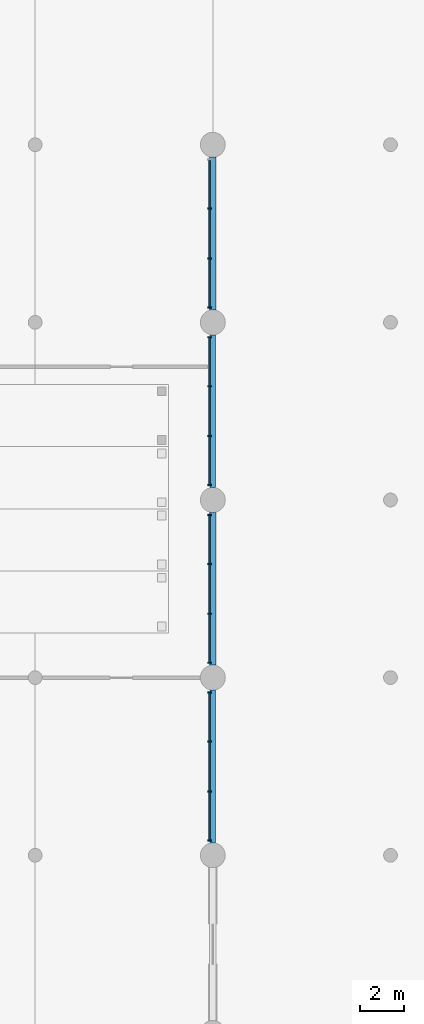
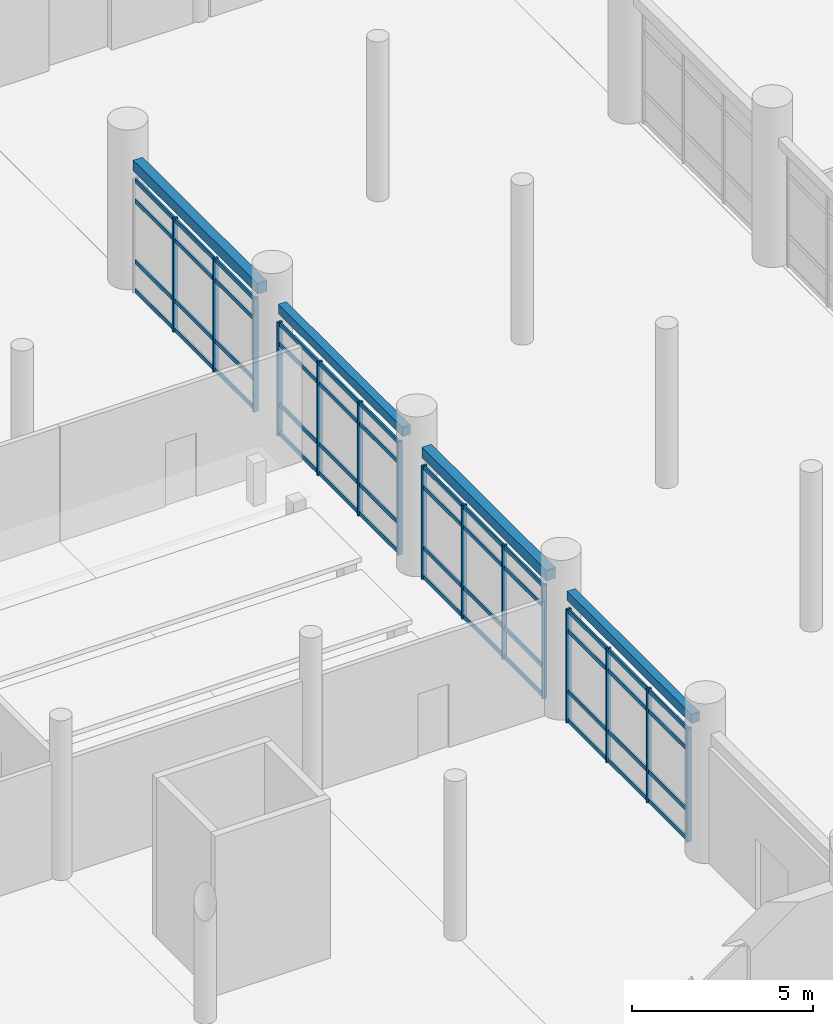
# One storey, part 5 of 42: 63 members, 4 beams, 4 elements without a shape of their own.
"""IFC4 building model written with IfcOpenShell, lengths in metres."""

from ifc_helpers import new_model, si_unit, direction, frame, origin, origin_2d, place, context, subcontext, project, spatial, rectangle, extrude, material, material_profile, profile_set, type_object, element, aggregate, save


model = new_model("IFC4")

# Units and contexts
model_context = context("Model", 3, precision=1e-05, world=origin(), true_north=direction((0.0, 1.0)))
body_context = subcontext(model_context, "Body", "Model", "MODEL_VIEW")
ifc_project = project(units=[si_unit("LENGTHUNIT", "METRE"), si_unit("AREAUNIT", "SQUARE_METRE"), si_unit("VOLUMEUNIT", "CUBIC_METRE"), si_unit("PLANEANGLEUNIT", "RADIAN"), si_unit("MASSUNIT", "GRAM", prefix="KILO")], contexts=[model_context])

# Site, building, storey
site_placement = place(None, origin())
site = spatial("IfcSite", under=ifc_project, at=site_placement, CompositionType="ELEMENT")
building_placement = place(site_placement, origin())
building = spatial("IfcBuilding", under=site, at=building_placement, Name="Pecanmere Concourse Central Library", CompositionType="ELEMENT")
storey_placement = place(building_placement, origin())
storey = spatial("IfcBuildingStorey", under=building, at=storey_placement, Name="L01", CompositionType="ELEMENT", Elevation=0.0)

# Curtain wall, members
ifc_material_1 = material(Name="Clear anodized aluminium alloy 6063-T6", Category="aluminium")
curtain_wall_type = type_object("IfcCurtainWallType", Name="CW_CLOISTER_GLAZ", PredefinedType="USERDEFINED", material=ifc_material_1)
curtain_wall_1_placement = place(storey_placement, origin())
curtain_wall_1 = element("IfcCurtainWall", 1, at=curtain_wall_1_placement, inside=storey, type_object=curtain_wall_type, Name="Unitised Curtain Wall CW-04 L01-163", ObjectType="UNITISED CURTAIN WALL", PredefinedType="USERDEFINED")
ifc_material_2 = material(Name="Clear anodized aluminium alloy 6063-T6", Category="aluminium")
ifc_material_profile_1 = material_profile(ifc_material_2, rectangle(XDim=0.06005859375, YDim=0.14990234375, at=origin_2d()), Name="AL 60x150")
ifc_profile_set_1 = profile_set([ifc_material_profile_1], Name="Clear anodized aluminium alloy 6063-T6")
member_type_1 = type_object("IfcMemberType", Name="CWM_150x60", PredefinedType="MULLION", material=ifc_profile_set_1)
member_1_placement = place(storey_placement, frame((79.85009765625, 32.669921875, 0.0), z_axis=(0.0, 0.0, 1.0), x_axis=(0.0, 1.0, 0.0)))
member_1 = element("IfcMember", 2, at=member_1_placement, type_object=member_type_1, Name="CW-04 Mullion 1", PredefinedType="MULLION", context=body_context, shape_type="SweptSolid", body=[
    extrude(rectangle(XDim=0.06005859375, YDim=0.14990234375, at=origin_2d()), origin(), (0.0, 0.0, 1.0), 3.85009765625),
])
member_2_placement = place(storey_placement, frame((79.85009765625, 34.8798828125, 0.0), z_axis=(0.0, 0.0, 1.0), x_axis=(0.0, 1.0, 0.0)))
member_2 = element("IfcMember", 3, at=member_2_placement, type_object=member_type_1, Name="CW-04 Mullion 2", PredefinedType="MULLION", context=body_context, shape_type="SweptSolid", body=[
    extrude(rectangle(XDim=0.06005859375, YDim=0.14990234375, at=origin_2d()), origin(), (0.0, 0.0, 1.0), 3.85009765625),
])
member_3_placement = place(storey_placement, frame((79.85009765625, 37.1201171875, 0.0), z_axis=(0.0, 0.0, 1.0), x_axis=(0.0, 1.0, 0.0)))
member_3 = element("IfcMember", 4, at=member_3_placement, type_object=member_type_1, Name="CW-04 Mullion 3", PredefinedType="MULLION", context=body_context, shape_type="SweptSolid", body=[
    extrude(rectangle(XDim=0.06005859375, YDim=0.14990234375, at=origin_2d()), origin(), (0.0, 0.0, 1.0), 3.85009765625),
])
member_4_placement = place(storey_placement, frame((79.85009765625, 39.330078125, 0.0), z_axis=(0.0, 0.0, 1.0), x_axis=(0.0, 1.0, 0.0)))
member_4 = element("IfcMember", 5, at=member_4_placement, type_object=member_type_1, Name="CW-04 Mullion 4", PredefinedType="MULLION", context=body_context, shape_type="SweptSolid", body=[
    extrude(rectangle(XDim=0.06005859375, YDim=0.14990234375, at=origin_2d()), origin(), (0.0, 0.0, 1.0), 3.85009765625),
])

curtain_wall_2_placement = place(storey_placement, origin())
curtain_wall_2 = element("IfcCurtainWall", 6, at=curtain_wall_2_placement, inside=storey, type_object=curtain_wall_type, Name="Unitised Curtain Wall CW-04 L01-165", ObjectType="UNITISED CURTAIN WALL", PredefinedType="USERDEFINED")
member_5_placement = place(storey_placement, frame((79.85009765625, 40.669921875, 0.0), z_axis=(0.0, 0.0, 1.0), x_axis=(0.0, 1.0, 0.0)))
member_5 = element("IfcMember", 7, at=member_5_placement, type_object=member_type_1, Name="CW-04 Mullion 1", PredefinedType="MULLION", context=body_context, shape_type="SweptSolid", body=[
    extrude(rectangle(XDim=0.06005859375, YDim=0.14990234375, at=origin_2d()), origin(), (0.0, 0.0, 1.0), 3.85009765625),
])
member_6_placement = place(storey_placement, frame((79.85009765625, 42.8798828125, 0.0), z_axis=(0.0, 0.0, 1.0), x_axis=(0.0, 1.0, 0.0)))
member_6 = element("IfcMember", 8, at=member_6_placement, type_object=member_type_1, Name="CW-04 Mullion 2", PredefinedType="MULLION", context=body_context, shape_type="SweptSolid", body=[
    extrude(rectangle(XDim=0.06005859375, YDim=0.14990234375, at=origin_2d()), origin(), (0.0, 0.0, 1.0), 3.85009765625),
])
member_7_placement = place(storey_placement, frame((79.85009765625, 45.1201171875, 0.0), z_axis=(0.0, 0.0, 1.0), x_axis=(0.0, 1.0, 0.0)))
member_7 = element("IfcMember", 9, at=member_7_placement, type_object=member_type_1, Name="CW-04 Mullion 3", PredefinedType="MULLION", context=body_context, shape_type="SweptSolid", body=[
    extrude(rectangle(XDim=0.06005859375, YDim=0.14990234375, at=origin_2d()), origin(), (0.0, 0.0, 1.0), 3.85009765625),
])
member_8_placement = place(storey_placement, frame((79.85009765625, 47.330078125, 0.0), z_axis=(0.0, 0.0, 1.0), x_axis=(0.0, 1.0, 0.0)))
member_8 = element("IfcMember", 10, at=member_8_placement, type_object=member_type_1, Name="CW-04 Mullion 4", PredefinedType="MULLION", context=body_context, shape_type="SweptSolid", body=[
    extrude(rectangle(XDim=0.06005859375, YDim=0.14990234375, at=origin_2d()), origin(), (0.0, 0.0, 1.0), 3.85009765625),
])

curtain_wall_3_placement = place(storey_placement, origin())
curtain_wall_3 = element("IfcCurtainWall", 11, at=curtain_wall_3_placement, inside=storey, type_object=curtain_wall_type, Name="Unitised Curtain Wall CW-04 L01-167", ObjectType="UNITISED CURTAIN WALL", PredefinedType="USERDEFINED")
member_9_placement = place(storey_placement, frame((79.85009765625, 48.669921875, 0.0), z_axis=(0.0, 0.0, 1.0), x_axis=(0.0, 1.0, 0.0)))
member_9 = element("IfcMember", 12, at=member_9_placement, type_object=member_type_1, Name="CW-04 Mullion 1", PredefinedType="MULLION", context=body_context, shape_type="SweptSolid", body=[
    extrude(rectangle(XDim=0.06005859375, YDim=0.14990234375, at=origin_2d()), origin(), (0.0, 0.0, 1.0), 3.85009765625),
])
member_10_placement = place(storey_placement, frame((79.85009765625, 50.8798828125, 0.0), z_axis=(0.0, 0.0, 1.0), x_axis=(0.0, 1.0, 0.0)))
member_10 = element("IfcMember", 13, at=member_10_placement, type_object=member_type_1, Name="CW-04 Mullion 2", PredefinedType="MULLION", context=body_context, shape_type="SweptSolid", body=[
    extrude(rectangle(XDim=0.06005859375, YDim=0.14990234375, at=origin_2d()), origin(), (0.0, 0.0, 1.0), 3.85009765625),
])
member_11_placement = place(storey_placement, frame((79.85009765625, 53.1201171875, 0.0), z_axis=(0.0, 0.0, 1.0), x_axis=(0.0, 1.0, 0.0)))
member_11 = element("IfcMember", 14, at=member_11_placement, type_object=member_type_1, Name="CW-04 Mullion 3", PredefinedType="MULLION", context=body_context, shape_type="SweptSolid", body=[
    extrude(rectangle(XDim=0.06005859375, YDim=0.14990234375, at=origin_2d()), origin(), (0.0, 0.0, 1.0), 3.85009765625),
])
member_12_placement = place(storey_placement, frame((79.85009765625, 55.330078125, 0.0), z_axis=(0.0, 0.0, 1.0), x_axis=(0.0, 1.0, 0.0)))
member_12 = element("IfcMember", 15, at=member_12_placement, type_object=member_type_1, Name="CW-04 Mullion 4", PredefinedType="MULLION", context=body_context, shape_type="SweptSolid", body=[
    extrude(rectangle(XDim=0.06005859375, YDim=0.14990234375, at=origin_2d()), origin(), (0.0, 0.0, 1.0), 3.85009765625),
])

curtain_wall_4_placement = place(storey_placement, origin())
curtain_wall_4 = element("IfcCurtainWall", 16, at=curtain_wall_4_placement, inside=storey, type_object=curtain_wall_type, Name="Unitised Curtain Wall CW-04 L01-169", ObjectType="UNITISED CURTAIN WALL", PredefinedType="USERDEFINED")
member_13_placement = place(storey_placement, frame((79.85009765625, 56.669921875, 0.0), z_axis=(0.0, 0.0, 1.0), x_axis=(0.0, 1.0, 0.0)))
member_13 = element("IfcMember", 17, at=member_13_placement, type_object=member_type_1, Name="CW-04 Mullion 1", PredefinedType="MULLION", context=body_context, shape_type="SweptSolid", body=[
    extrude(rectangle(XDim=0.06005859375, YDim=0.14990234375, at=origin_2d()), origin(), (0.0, 0.0, 1.0), 3.85009765625),
])
member_14_placement = place(storey_placement, frame((79.85009765625, 58.8798828125, 0.0), z_axis=(0.0, 0.0, 1.0), x_axis=(0.0, 1.0, 0.0)))
member_14 = element("IfcMember", 18, at=member_14_placement, type_object=member_type_1, Name="CW-04 Mullion 2", PredefinedType="MULLION", context=body_context, shape_type="SweptSolid", body=[
    extrude(rectangle(XDim=0.06005859375, YDim=0.14990234375, at=origin_2d()), origin(), (0.0, 0.0, 1.0), 3.85009765625),
])
member_15_placement = place(storey_placement, frame((79.85009765625, 61.1201171875, 0.0), z_axis=(0.0, 0.0, 1.0), x_axis=(0.0, 1.0, 0.0)))
member_15 = element("IfcMember", 19, at=member_15_placement, type_object=member_type_1, Name="CW-04 Mullion 3", PredefinedType="MULLION", context=body_context, shape_type="SweptSolid", body=[
    extrude(rectangle(XDim=0.06005859375, YDim=0.14990234375, at=origin_2d()), origin(), (0.0, 0.0, 1.0), 3.85009765625),
])

# Member
ifc_material_3 = material(Name="Clear anodized aluminium alloy 6063-T6", Category="aluminium")
ifc_material_profile_2 = material_profile(ifc_material_3, rectangle(XDim=0.054931640625, YDim=0.139892578125, at=origin_2d()), Name="AL 55x140")
ifc_profile_set_2 = profile_set([ifc_material_profile_2], Name="Clear anodized aluminium alloy 6063-T6")
member_type_2 = type_object("IfcMemberType", Name="CWT_140x55", PredefinedType="USERDEFINED", material=ifc_profile_set_2)
member_16_placement = place(storey_placement, frame((79.85009765625, 32.699951171875, 0.070068359375), z_axis=(0.0, 1.0, 0.0), x_axis=(-1.0, 0.0, 0.0)))
member_16 = element("IfcMember", 20, at=member_16_placement, type_object=member_type_2, Name="CW-04 Transom 1.1", ObjectType="TRANSOM", PredefinedType="USERDEFINED", context=body_context, shape_type="SweptSolid", body=[
    extrude(rectangle(XDim=0.054931640625, YDim=0.139892578125, at=origin_2d()), origin(), (0.0, 0.0, 1.0), 2.150146484375),
])

member_17_placement = place(storey_placement, frame((79.85009765625, 32.699951171875, 1.050048828125), z_axis=(0.0, 1.0, 0.0), x_axis=(-1.0, 0.0, 0.0)))
member_17 = element("IfcMember", 21, at=member_17_placement, type_object=member_type_2, Name="CW-04 Transom 1.2", ObjectType="TRANSOM", PredefinedType="USERDEFINED", context=body_context, shape_type="SweptSolid", body=[
    extrude(rectangle(XDim=0.054931640625, YDim=0.139892578125, at=origin_2d()), origin(), (0.0, 0.0, 1.0), 2.150146484375),
])

member_18_placement = place(storey_placement, frame((79.85009765625, 32.699951171875, 3.10009765625), z_axis=(0.0, 1.0, 0.0), x_axis=(-1.0, 0.0, 0.0)))
member_18 = element("IfcMember", 22, at=member_18_placement, type_object=member_type_2, Name="CW-04 Transom 1.3", ObjectType="TRANSOM", PredefinedType="USERDEFINED", context=body_context, shape_type="SweptSolid", body=[
    extrude(rectangle(XDim=0.054931640625, YDim=0.139892578125, at=origin_2d()), origin(), (0.0, 0.0, 1.0), 2.150146484375),
])

member_19_placement = place(storey_placement, frame((79.85009765625, 32.699951171875, 3.780029296875), z_axis=(0.0, 1.0, 0.0), x_axis=(-1.0, 0.0, 0.0)))
member_19 = element("IfcMember", 23, at=member_19_placement, type_object=member_type_2, Name="CW-04 Transom 1.4", ObjectType="TRANSOM", PredefinedType="USERDEFINED", context=body_context, shape_type="SweptSolid", body=[
    extrude(rectangle(XDim=0.054931640625, YDim=0.139892578125, at=origin_2d()), origin(), (0.0, 0.0, 1.0), 2.150146484375),
])

member_20_placement = place(storey_placement, frame((79.85009765625, 34.909912109375, 0.070068359375), z_axis=(0.0, 1.0, 0.0), x_axis=(-1.0, 0.0, 0.0)))
member_20 = element("IfcMember", 24, at=member_20_placement, type_object=member_type_2, Name="CW-04 Transom 2.1", ObjectType="TRANSOM", PredefinedType="USERDEFINED", context=body_context, shape_type="SweptSolid", body=[
    extrude(rectangle(XDim=0.054931640625, YDim=0.139892578125, at=origin_2d()), origin(), (0.0, 0.0, 1.0), 2.18017578125),
])

member_21_placement = place(storey_placement, frame((79.85009765625, 34.909912109375, 1.050048828125), z_axis=(0.0, 1.0, 0.0), x_axis=(-1.0, 0.0, 0.0)))
member_21 = element("IfcMember", 25, at=member_21_placement, type_object=member_type_2, Name="CW-04 Transom 2.2", ObjectType="TRANSOM", PredefinedType="USERDEFINED", context=body_context, shape_type="SweptSolid", body=[
    extrude(rectangle(XDim=0.054931640625, YDim=0.139892578125, at=origin_2d()), origin(), (0.0, 0.0, 1.0), 2.18017578125),
])

member_22_placement = place(storey_placement, frame((79.85009765625, 34.909912109375, 3.10009765625), z_axis=(0.0, 1.0, 0.0), x_axis=(-1.0, 0.0, 0.0)))
member_22 = element("IfcMember", 26, at=member_22_placement, type_object=member_type_2, Name="CW-04 Transom 2.3", ObjectType="TRANSOM", PredefinedType="USERDEFINED", context=body_context, shape_type="SweptSolid", body=[
    extrude(rectangle(XDim=0.054931640625, YDim=0.139892578125, at=origin_2d()), origin(), (0.0, 0.0, 1.0), 2.18017578125),
])

member_23_placement = place(storey_placement, frame((79.85009765625, 34.909912109375, 3.780029296875), z_axis=(0.0, 1.0, 0.0), x_axis=(-1.0, 0.0, 0.0)))
member_23 = element("IfcMember", 27, at=member_23_placement, type_object=member_type_2, Name="CW-04 Transom 2.4", ObjectType="TRANSOM", PredefinedType="USERDEFINED", context=body_context, shape_type="SweptSolid", body=[
    extrude(rectangle(XDim=0.054931640625, YDim=0.139892578125, at=origin_2d()), origin(), (0.0, 0.0, 1.0), 2.18017578125),
])

member_24_placement = place(storey_placement, frame((79.85009765625, 37.14990234375, 0.070068359375), z_axis=(0.0, 1.0, 0.0), x_axis=(-1.0, 0.0, 0.0)))
member_24 = element("IfcMember", 28, at=member_24_placement, type_object=member_type_2, Name="CW-04 Transom 3.1", ObjectType="TRANSOM", PredefinedType="USERDEFINED", context=body_context, shape_type="SweptSolid", body=[
    extrude(rectangle(XDim=0.054931640625, YDim=0.139892578125, at=origin_2d()), origin(), (0.0, 0.0, 1.0), 2.150146484375),
])

member_25_placement = place(storey_placement, frame((79.85009765625, 37.14990234375, 1.050048828125), z_axis=(0.0, 1.0, 0.0), x_axis=(-1.0, 0.0, 0.0)))
member_25 = element("IfcMember", 29, at=member_25_placement, type_object=member_type_2, Name="CW-04 Transom 3.2", ObjectType="TRANSOM", PredefinedType="USERDEFINED", context=body_context, shape_type="SweptSolid", body=[
    extrude(rectangle(XDim=0.054931640625, YDim=0.139892578125, at=origin_2d()), origin(), (0.0, 0.0, 1.0), 2.150146484375),
])

member_26_placement = place(storey_placement, frame((79.85009765625, 37.14990234375, 3.10009765625), z_axis=(0.0, 1.0, 0.0), x_axis=(-1.0, 0.0, 0.0)))
member_26 = element("IfcMember", 30, at=member_26_placement, type_object=member_type_2, Name="CW-04 Transom 3.3", ObjectType="TRANSOM", PredefinedType="USERDEFINED", context=body_context, shape_type="SweptSolid", body=[
    extrude(rectangle(XDim=0.054931640625, YDim=0.139892578125, at=origin_2d()), origin(), (0.0, 0.0, 1.0), 2.150146484375),
])

member_27_placement = place(storey_placement, frame((79.85009765625, 37.14990234375, 3.780029296875), z_axis=(0.0, 1.0, 0.0), x_axis=(-1.0, 0.0, 0.0)))
member_27 = element("IfcMember", 31, at=member_27_placement, type_object=member_type_2, Name="CW-04 Transom 3.4", ObjectType="TRANSOM", PredefinedType="USERDEFINED", context=body_context, shape_type="SweptSolid", body=[
    extrude(rectangle(XDim=0.054931640625, YDim=0.139892578125, at=origin_2d()), origin(), (0.0, 0.0, 1.0), 2.150146484375),
])

aggregate(curtain_wall_1, [member_1, member_2, member_3, member_4, member_16, member_17, member_18, member_19, member_20, member_21, member_22, member_23, member_24, member_25, member_26, member_27])

member_28_placement = place(storey_placement, frame((79.85009765625, 40.699951171875, 0.070068359375), z_axis=(0.0, 1.0, 0.0), x_axis=(-1.0, 0.0, 0.0)))
member_28 = element("IfcMember", 32, at=member_28_placement, type_object=member_type_2, Name="CW-04 Transom 1.1", ObjectType="TRANSOM", PredefinedType="USERDEFINED", context=body_context, shape_type="SweptSolid", body=[
    extrude(rectangle(XDim=0.054931640625, YDim=0.139892578125, at=origin_2d()), origin(), (0.0, 0.0, 1.0), 2.150146484375),
])

member_29_placement = place(storey_placement, frame((79.85009765625, 40.699951171875, 1.050048828125), z_axis=(0.0, 1.0, 0.0), x_axis=(-1.0, 0.0, 0.0)))
member_29 = element("IfcMember", 33, at=member_29_placement, type_object=member_type_2, Name="CW-04 Transom 1.2", ObjectType="TRANSOM", PredefinedType="USERDEFINED", context=body_context, shape_type="SweptSolid", body=[
    extrude(rectangle(XDim=0.054931640625, YDim=0.139892578125, at=origin_2d()), origin(), (0.0, 0.0, 1.0), 2.150146484375),
])

member_30_placement = place(storey_placement, frame((79.85009765625, 40.699951171875, 3.10009765625), z_axis=(0.0, 1.0, 0.0), x_axis=(-1.0, 0.0, 0.0)))
member_30 = element("IfcMember", 34, at=member_30_placement, type_object=member_type_2, Name="CW-04 Transom 1.3", ObjectType="TRANSOM", PredefinedType="USERDEFINED", context=body_context, shape_type="SweptSolid", body=[
    extrude(rectangle(XDim=0.054931640625, YDim=0.139892578125, at=origin_2d()), origin(), (0.0, 0.0, 1.0), 2.150146484375),
])

member_31_placement = place(storey_placement, frame((79.85009765625, 40.699951171875, 3.780029296875), z_axis=(0.0, 1.0, 0.0), x_axis=(-1.0, 0.0, 0.0)))
member_31 = element("IfcMember", 35, at=member_31_placement, type_object=member_type_2, Name="CW-04 Transom 1.4", ObjectType="TRANSOM", PredefinedType="USERDEFINED", context=body_context, shape_type="SweptSolid", body=[
    extrude(rectangle(XDim=0.054931640625, YDim=0.139892578125, at=origin_2d()), origin(), (0.0, 0.0, 1.0), 2.150146484375),
])

member_32_placement = place(storey_placement, frame((79.85009765625, 42.909912109375, 0.070068359375), z_axis=(0.0, 1.0, 0.0), x_axis=(-1.0, 0.0, 0.0)))
member_32 = element("IfcMember", 36, at=member_32_placement, type_object=member_type_2, Name="CW-04 Transom 2.1", ObjectType="TRANSOM", PredefinedType="USERDEFINED", context=body_context, shape_type="SweptSolid", body=[
    extrude(rectangle(XDim=0.054931640625, YDim=0.139892578125, at=origin_2d()), origin(), (0.0, 0.0, 1.0), 2.18017578125),
])

member_33_placement = place(storey_placement, frame((79.85009765625, 42.909912109375, 1.050048828125), z_axis=(0.0, 1.0, 0.0), x_axis=(-1.0, 0.0, 0.0)))
member_33 = element("IfcMember", 37, at=member_33_placement, type_object=member_type_2, Name="CW-04 Transom 2.2", ObjectType="TRANSOM", PredefinedType="USERDEFINED", context=body_context, shape_type="SweptSolid", body=[
    extrude(rectangle(XDim=0.054931640625, YDim=0.139892578125, at=origin_2d()), origin(), (0.0, 0.0, 1.0), 2.18017578125),
])

member_34_placement = place(storey_placement, frame((79.85009765625, 42.909912109375, 3.10009765625), z_axis=(0.0, 1.0, 0.0), x_axis=(-1.0, 0.0, 0.0)))
member_34 = element("IfcMember", 38, at=member_34_placement, type_object=member_type_2, Name="CW-04 Transom 2.3", ObjectType="TRANSOM", PredefinedType="USERDEFINED", context=body_context, shape_type="SweptSolid", body=[
    extrude(rectangle(XDim=0.054931640625, YDim=0.139892578125, at=origin_2d()), origin(), (0.0, 0.0, 1.0), 2.18017578125),
])

member_35_placement = place(storey_placement, frame((79.85009765625, 42.909912109375, 3.780029296875), z_axis=(0.0, 1.0, 0.0), x_axis=(-1.0, 0.0, 0.0)))
member_35 = element("IfcMember", 39, at=member_35_placement, type_object=member_type_2, Name="CW-04 Transom 2.4", ObjectType="TRANSOM", PredefinedType="USERDEFINED", context=body_context, shape_type="SweptSolid", body=[
    extrude(rectangle(XDim=0.054931640625, YDim=0.139892578125, at=origin_2d()), origin(), (0.0, 0.0, 1.0), 2.18017578125),
])

member_36_placement = place(storey_placement, frame((79.85009765625, 45.14990234375, 0.070068359375), z_axis=(0.0, 1.0, 0.0), x_axis=(-1.0, 0.0, 0.0)))
member_36 = element("IfcMember", 40, at=member_36_placement, type_object=member_type_2, Name="CW-04 Transom 3.1", ObjectType="TRANSOM", PredefinedType="USERDEFINED", context=body_context, shape_type="SweptSolid", body=[
    extrude(rectangle(XDim=0.054931640625, YDim=0.139892578125, at=origin_2d()), origin(), (0.0, 0.0, 1.0), 2.150146484375),
])

member_37_placement = place(storey_placement, frame((79.85009765625, 45.14990234375, 1.050048828125), z_axis=(0.0, 1.0, 0.0), x_axis=(-1.0, 0.0, 0.0)))
member_37 = element("IfcMember", 41, at=member_37_placement, type_object=member_type_2, Name="CW-04 Transom 3.2", ObjectType="TRANSOM", PredefinedType="USERDEFINED", context=body_context, shape_type="SweptSolid", body=[
    extrude(rectangle(XDim=0.054931640625, YDim=0.139892578125, at=origin_2d()), origin(), (0.0, 0.0, 1.0), 2.150146484375),
])

member_38_placement = place(storey_placement, frame((79.85009765625, 45.14990234375, 3.10009765625), z_axis=(0.0, 1.0, 0.0), x_axis=(-1.0, 0.0, 0.0)))
member_38 = element("IfcMember", 42, at=member_38_placement, type_object=member_type_2, Name="CW-04 Transom 3.3", ObjectType="TRANSOM", PredefinedType="USERDEFINED", context=body_context, shape_type="SweptSolid", body=[
    extrude(rectangle(XDim=0.054931640625, YDim=0.139892578125, at=origin_2d()), origin(), (0.0, 0.0, 1.0), 2.150146484375),
])

member_39_placement = place(storey_placement, frame((79.85009765625, 45.14990234375, 3.780029296875), z_axis=(0.0, 1.0, 0.0), x_axis=(-1.0, 0.0, 0.0)))
member_39 = element("IfcMember", 43, at=member_39_placement, type_object=member_type_2, Name="CW-04 Transom 3.4", ObjectType="TRANSOM", PredefinedType="USERDEFINED", context=body_context, shape_type="SweptSolid", body=[
    extrude(rectangle(XDim=0.054931640625, YDim=0.139892578125, at=origin_2d()), origin(), (0.0, 0.0, 1.0), 2.150146484375),
])

aggregate(curtain_wall_2, [member_5, member_6, member_7, member_8, member_28, member_29, member_30, member_31, member_32, member_33, member_34, member_35, member_36, member_37, member_38, member_39])

member_40_placement = place(storey_placement, frame((79.85009765625, 48.699951171875, 0.070068359375), z_axis=(0.0, 1.0, 0.0), x_axis=(-1.0, 0.0, 0.0)))
member_40 = element("IfcMember", 44, at=member_40_placement, type_object=member_type_2, Name="CW-04 Transom 1.1", ObjectType="TRANSOM", PredefinedType="USERDEFINED", context=body_context, shape_type="SweptSolid", body=[
    extrude(rectangle(XDim=0.054931640625, YDim=0.139892578125, at=origin_2d()), origin(), (0.0, 0.0, 1.0), 2.150146484375),
])

member_41_placement = place(storey_placement, frame((79.85009765625, 48.699951171875, 1.050048828125), z_axis=(0.0, 1.0, 0.0), x_axis=(-1.0, 0.0, 0.0)))
member_41 = element("IfcMember", 45, at=member_41_placement, type_object=member_type_2, Name="CW-04 Transom 1.2", ObjectType="TRANSOM", PredefinedType="USERDEFINED", context=body_context, shape_type="SweptSolid", body=[
    extrude(rectangle(XDim=0.054931640625, YDim=0.139892578125, at=origin_2d()), origin(), (0.0, 0.0, 1.0), 2.150146484375),
])

member_42_placement = place(storey_placement, frame((79.85009765625, 48.699951171875, 3.10009765625), z_axis=(0.0, 1.0, 0.0), x_axis=(-1.0, 0.0, 0.0)))
member_42 = element("IfcMember", 46, at=member_42_placement, type_object=member_type_2, Name="CW-04 Transom 1.3", ObjectType="TRANSOM", PredefinedType="USERDEFINED", context=body_context, shape_type="SweptSolid", body=[
    extrude(rectangle(XDim=0.054931640625, YDim=0.139892578125, at=origin_2d()), origin(), (0.0, 0.0, 1.0), 2.150146484375),
])

member_43_placement = place(storey_placement, frame((79.85009765625, 48.699951171875, 3.780029296875), z_axis=(0.0, 1.0, 0.0), x_axis=(-1.0, 0.0, 0.0)))
member_43 = element("IfcMember", 47, at=member_43_placement, type_object=member_type_2, Name="CW-04 Transom 1.4", ObjectType="TRANSOM", PredefinedType="USERDEFINED", context=body_context, shape_type="SweptSolid", body=[
    extrude(rectangle(XDim=0.054931640625, YDim=0.139892578125, at=origin_2d()), origin(), (0.0, 0.0, 1.0), 2.150146484375),
])

member_44_placement = place(storey_placement, frame((79.85009765625, 50.909912109375, 0.070068359375), z_axis=(0.0, 1.0, 0.0), x_axis=(-1.0, 0.0, 0.0)))
member_44 = element("IfcMember", 48, at=member_44_placement, type_object=member_type_2, Name="CW-04 Transom 2.1", ObjectType="TRANSOM", PredefinedType="USERDEFINED", context=body_context, shape_type="SweptSolid", body=[
    extrude(rectangle(XDim=0.054931640625, YDim=0.139892578125, at=origin_2d()), origin(), (0.0, 0.0, 1.0), 2.18017578125),
])

member_45_placement = place(storey_placement, frame((79.85009765625, 50.909912109375, 1.050048828125), z_axis=(0.0, 1.0, 0.0), x_axis=(-1.0, 0.0, 0.0)))
member_45 = element("IfcMember", 49, at=member_45_placement, type_object=member_type_2, Name="CW-04 Transom 2.2", ObjectType="TRANSOM", PredefinedType="USERDEFINED", context=body_context, shape_type="SweptSolid", body=[
    extrude(rectangle(XDim=0.054931640625, YDim=0.139892578125, at=origin_2d()), origin(), (0.0, 0.0, 1.0), 2.18017578125),
])

member_46_placement = place(storey_placement, frame((79.85009765625, 50.909912109375, 3.10009765625), z_axis=(0.0, 1.0, 0.0), x_axis=(-1.0, 0.0, 0.0)))
member_46 = element("IfcMember", 50, at=member_46_placement, type_object=member_type_2, Name="CW-04 Transom 2.3", ObjectType="TRANSOM", PredefinedType="USERDEFINED", context=body_context, shape_type="SweptSolid", body=[
    extrude(rectangle(XDim=0.054931640625, YDim=0.139892578125, at=origin_2d()), origin(), (0.0, 0.0, 1.0), 2.18017578125),
])

member_47_placement = place(storey_placement, frame((79.85009765625, 50.909912109375, 3.780029296875), z_axis=(0.0, 1.0, 0.0), x_axis=(-1.0, 0.0, 0.0)))
member_47 = element("IfcMember", 51, at=member_47_placement, type_object=member_type_2, Name="CW-04 Transom 2.4", ObjectType="TRANSOM", PredefinedType="USERDEFINED", context=body_context, shape_type="SweptSolid", body=[
    extrude(rectangle(XDim=0.054931640625, YDim=0.139892578125, at=origin_2d()), origin(), (0.0, 0.0, 1.0), 2.18017578125),
])

member_48_placement = place(storey_placement, frame((79.85009765625, 53.14990234375, 0.070068359375), z_axis=(0.0, 1.0, 0.0), x_axis=(-1.0, 0.0, 0.0)))
member_48 = element("IfcMember", 52, at=member_48_placement, type_object=member_type_2, Name="CW-04 Transom 3.1", ObjectType="TRANSOM", PredefinedType="USERDEFINED", context=body_context, shape_type="SweptSolid", body=[
    extrude(rectangle(XDim=0.054931640625, YDim=0.139892578125, at=origin_2d()), origin(), (0.0, 0.0, 1.0), 2.150146484375),
])

member_49_placement = place(storey_placement, frame((79.85009765625, 53.14990234375, 1.050048828125), z_axis=(0.0, 1.0, 0.0), x_axis=(-1.0, 0.0, 0.0)))
member_49 = element("IfcMember", 53, at=member_49_placement, type_object=member_type_2, Name="CW-04 Transom 3.2", ObjectType="TRANSOM", PredefinedType="USERDEFINED", context=body_context, shape_type="SweptSolid", body=[
    extrude(rectangle(XDim=0.054931640625, YDim=0.139892578125, at=origin_2d()), origin(), (0.0, 0.0, 1.0), 2.150146484375),
])

member_50_placement = place(storey_placement, frame((79.85009765625, 53.14990234375, 3.10009765625), z_axis=(0.0, 1.0, 0.0), x_axis=(-1.0, 0.0, 0.0)))
member_50 = element("IfcMember", 54, at=member_50_placement, type_object=member_type_2, Name="CW-04 Transom 3.3", ObjectType="TRANSOM", PredefinedType="USERDEFINED", context=body_context, shape_type="SweptSolid", body=[
    extrude(rectangle(XDim=0.054931640625, YDim=0.139892578125, at=origin_2d()), origin(), (0.0, 0.0, 1.0), 2.150146484375),
])

member_51_placement = place(storey_placement, frame((79.85009765625, 53.14990234375, 3.780029296875), z_axis=(0.0, 1.0, 0.0), x_axis=(-1.0, 0.0, 0.0)))
member_51 = element("IfcMember", 55, at=member_51_placement, type_object=member_type_2, Name="CW-04 Transom 3.4", ObjectType="TRANSOM", PredefinedType="USERDEFINED", context=body_context, shape_type="SweptSolid", body=[
    extrude(rectangle(XDim=0.054931640625, YDim=0.139892578125, at=origin_2d()), origin(), (0.0, 0.0, 1.0), 2.150146484375),
])

aggregate(curtain_wall_3, [member_9, member_10, member_11, member_12, member_40, member_41, member_42, member_43, member_44, member_45, member_46, member_47, member_48, member_49, member_50, member_51])

member_52_placement = place(storey_placement, frame((79.85009765625, 56.699951171875, 0.070068359375), z_axis=(0.0, 1.0, 0.0), x_axis=(-1.0, 0.0, 0.0)))
member_52 = element("IfcMember", 56, at=member_52_placement, type_object=member_type_2, Name="CW-04 Transom 1.1", ObjectType="TRANSOM", PredefinedType="USERDEFINED", context=body_context, shape_type="SweptSolid", body=[
    extrude(rectangle(XDim=0.054931640625, YDim=0.139892578125, at=origin_2d()), origin(), (0.0, 0.0, 1.0), 2.150146484375),
])

member_53_placement = place(storey_placement, frame((79.85009765625, 56.699951171875, 1.050048828125), z_axis=(0.0, 1.0, 0.0), x_axis=(-1.0, 0.0, 0.0)))
member_53 = element("IfcMember", 57, at=member_53_placement, type_object=member_type_2, Name="CW-04 Transom 1.2", ObjectType="TRANSOM", PredefinedType="USERDEFINED", context=body_context, shape_type="SweptSolid", body=[
    extrude(rectangle(XDim=0.054931640625, YDim=0.139892578125, at=origin_2d()), origin(), (0.0, 0.0, 1.0), 2.150146484375),
])

member_54_placement = place(storey_placement, frame((79.85009765625, 56.699951171875, 3.10009765625), z_axis=(0.0, 1.0, 0.0), x_axis=(-1.0, 0.0, 0.0)))
member_54 = element("IfcMember", 58, at=member_54_placement, type_object=member_type_2, Name="CW-04 Transom 1.3", ObjectType="TRANSOM", PredefinedType="USERDEFINED", context=body_context, shape_type="SweptSolid", body=[
    extrude(rectangle(XDim=0.054931640625, YDim=0.139892578125, at=origin_2d()), origin(), (0.0, 0.0, 1.0), 2.150146484375),
])

member_55_placement = place(storey_placement, frame((79.85009765625, 56.699951171875, 3.780029296875), z_axis=(0.0, 1.0, 0.0), x_axis=(-1.0, 0.0, 0.0)))
member_55 = element("IfcMember", 59, at=member_55_placement, type_object=member_type_2, Name="CW-04 Transom 1.4", ObjectType="TRANSOM", PredefinedType="USERDEFINED", context=body_context, shape_type="SweptSolid", body=[
    extrude(rectangle(XDim=0.054931640625, YDim=0.139892578125, at=origin_2d()), origin(), (0.0, 0.0, 1.0), 2.150146484375),
])

member_56_placement = place(storey_placement, frame((79.85009765625, 58.909912109375, 0.070068359375), z_axis=(0.0, 1.0, 0.0), x_axis=(-1.0, 0.0, 0.0)))
member_56 = element("IfcMember", 60, at=member_56_placement, type_object=member_type_2, Name="CW-04 Transom 2.1", ObjectType="TRANSOM", PredefinedType="USERDEFINED", context=body_context, shape_type="SweptSolid", body=[
    extrude(rectangle(XDim=0.054931640625, YDim=0.139892578125, at=origin_2d()), origin(), (0.0, 0.0, 1.0), 2.18017578125),
])

member_57_placement = place(storey_placement, frame((79.85009765625, 58.909912109375, 1.050048828125), z_axis=(0.0, 1.0, 0.0), x_axis=(-1.0, 0.0, 0.0)))
member_57 = element("IfcMember", 61, at=member_57_placement, type_object=member_type_2, Name="CW-04 Transom 2.2", ObjectType="TRANSOM", PredefinedType="USERDEFINED", context=body_context, shape_type="SweptSolid", body=[
    extrude(rectangle(XDim=0.054931640625, YDim=0.139892578125, at=origin_2d()), origin(), (0.0, 0.0, 1.0), 2.18017578125),
])

member_58_placement = place(storey_placement, frame((79.85009765625, 58.909912109375, 3.10009765625), z_axis=(0.0, 1.0, 0.0), x_axis=(-1.0, 0.0, 0.0)))
member_58 = element("IfcMember", 62, at=member_58_placement, type_object=member_type_2, Name="CW-04 Transom 2.3", ObjectType="TRANSOM", PredefinedType="USERDEFINED", context=body_context, shape_type="SweptSolid", body=[
    extrude(rectangle(XDim=0.054931640625, YDim=0.139892578125, at=origin_2d()), origin(), (0.0, 0.0, 1.0), 2.18017578125),
])

member_59_placement = place(storey_placement, frame((79.85009765625, 58.909912109375, 3.780029296875), z_axis=(0.0, 1.0, 0.0), x_axis=(-1.0, 0.0, 0.0)))
member_59 = element("IfcMember", 63, at=member_59_placement, type_object=member_type_2, Name="CW-04 Transom 2.4", ObjectType="TRANSOM", PredefinedType="USERDEFINED", context=body_context, shape_type="SweptSolid", body=[
    extrude(rectangle(XDim=0.054931640625, YDim=0.139892578125, at=origin_2d()), origin(), (0.0, 0.0, 1.0), 2.18017578125),
])

member_60_placement = place(storey_placement, frame((79.85009765625, 61.14990234375, 0.070068359375), z_axis=(0.0, 1.0, 0.0), x_axis=(-1.0, 0.0, 0.0)))
member_60 = element("IfcMember", 64, at=member_60_placement, type_object=member_type_2, Name="CW-04 Transom 3.1", ObjectType="TRANSOM", PredefinedType="USERDEFINED", context=body_context, shape_type="SweptSolid", body=[
    extrude(rectangle(XDim=0.054931640625, YDim=0.139892578125, at=origin_2d()), origin(), (0.0, 0.0, 1.0), 2.150146484375),
])

member_61_placement = place(storey_placement, frame((79.85009765625, 61.14990234375, 1.050048828125), z_axis=(0.0, 1.0, 0.0), x_axis=(-1.0, 0.0, 0.0)))
member_61 = element("IfcMember", 65, at=member_61_placement, type_object=member_type_2, Name="CW-04 Transom 3.2", ObjectType="TRANSOM", PredefinedType="USERDEFINED", context=body_context, shape_type="SweptSolid", body=[
    extrude(rectangle(XDim=0.054931640625, YDim=0.139892578125, at=origin_2d()), origin(), (0.0, 0.0, 1.0), 2.150146484375),
])

member_62_placement = place(storey_placement, frame((79.85009765625, 61.14990234375, 3.10009765625), z_axis=(0.0, 1.0, 0.0), x_axis=(-1.0, 0.0, 0.0)))
member_62 = element("IfcMember", 66, at=member_62_placement, type_object=member_type_2, Name="CW-04 Transom 3.3", ObjectType="TRANSOM", PredefinedType="USERDEFINED", context=body_context, shape_type="SweptSolid", body=[
    extrude(rectangle(XDim=0.054931640625, YDim=0.139892578125, at=origin_2d()), origin(), (0.0, 0.0, 1.0), 2.150146484375),
])

member_63_placement = place(storey_placement, frame((79.85009765625, 61.14990234375, 3.780029296875), z_axis=(0.0, 1.0, 0.0), x_axis=(-1.0, 0.0, 0.0)))
member_63 = element("IfcMember", 67, at=member_63_placement, type_object=member_type_2, Name="CW-04 Transom 3.4", ObjectType="TRANSOM", PredefinedType="USERDEFINED", context=body_context, shape_type="SweptSolid", body=[
    extrude(rectangle(XDim=0.054931640625, YDim=0.139892578125, at=origin_2d()), origin(), (0.0, 0.0, 1.0), 2.150146484375),
])

aggregate(curtain_wall_4, [member_13, member_14, member_15, member_52, member_53, member_54, member_55, member_56, member_57, member_58, member_59, member_60, member_61, member_62, member_63])

# Beams
ifc_material_4 = material(Name="Precast concrete C40/50", Category="concrete")
ifc_material_profile_3 = material_profile(ifc_material_4, rectangle(XDim=0.260009765625, YDim=0.31005859375, at=origin_2d()), Name="RC 260x310")
ifc_profile_set_3 = profile_set([ifc_material_profile_3], Name="Precast concrete C40/50")
beam_type_1 = type_object("IfcBeamType", Name="LNT_260x310", PredefinedType="LINTEL", material=ifc_profile_set_3)
for number, where, z_axis, x_axis, name in (
    (68, (80.0, 32.56005859375, 4.199951171875), (0.0, 1.0, 0.0), (-1.0, 0.0, 0.0), "Colonnade Architrave Lintel 2-80"),
    (69, (80.0, 48.56005859375, 4.199951171875), (0.0, 1.0, 0.0), (-1.0, 0.0, 0.0), "Colonnade Architrave Lintel 4-80"),
):
    element("IfcBeam", number, at=place(storey_placement, frame(where, z_axis=z_axis, x_axis=x_axis)), inside=storey, type_object=beam_type_1, Name=name, PredefinedType="LINTEL", context=body_context, shape_type="SweptSolid", body=[
        extrude(rectangle(XDim=0.260009765625, YDim=0.31005859375, at=origin_2d()), origin(), (0.0, 0.0, 1.0), 6.8798828125),
    ])
ifc_material_5 = material(Name="Precast concrete C40/50", Category="concrete")
ifc_material_profile_4 = material_profile(ifc_material_5, rectangle(XDim=0.300048828125, YDim=0.360107421875, at=origin_2d()), Name="RC 300x360")
ifc_profile_set_4 = profile_set([ifc_material_profile_4], Name="Precast concrete C40/50")
beam_type_2 = type_object("IfcBeamType", Name="LNT_300x360", PredefinedType="LINTEL", material=ifc_profile_set_4)
for number, where, z_axis, x_axis, name in (
    (70, (80.0, 40.56005859375, 4.199951171875), (0.0, 1.0, 0.0), (-1.0, 0.0, 0.0), "Colonnade Architrave Lintel 3-80"),
    (71, (80.0, 56.56005859375, 4.199951171875), (0.0, 1.0, 0.0), (-1.0, 0.0, 0.0), "Colonnade Architrave Lintel 5-80"),
):
    element("IfcBeam", number, at=place(storey_placement, frame(where, z_axis=z_axis, x_axis=x_axis)), inside=storey, type_object=beam_type_2, Name=name, PredefinedType="LINTEL", context=body_context, shape_type="SweptSolid", body=[
        extrude(rectangle(XDim=0.300048828125, YDim=0.360107421875, at=origin_2d()), origin(), (0.0, 0.0, 1.0), 6.8798828125),
    ])

save(model, "model.ifc")
